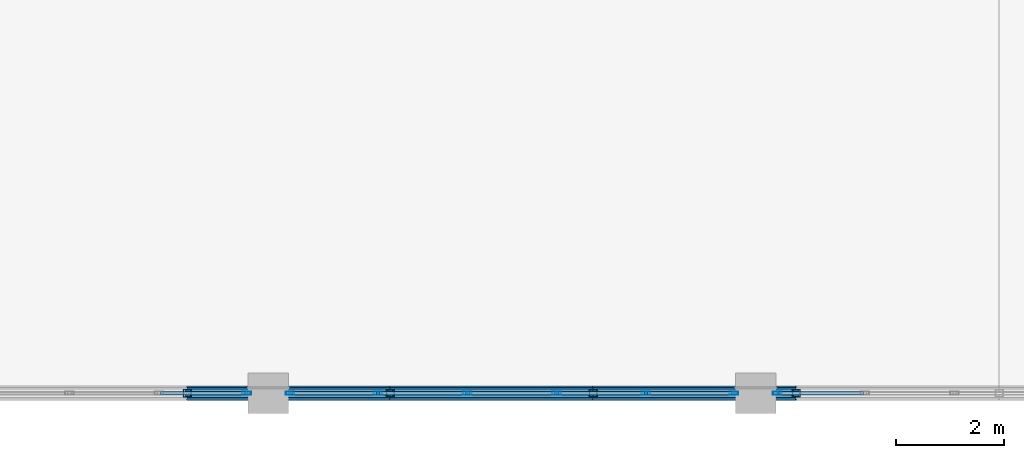
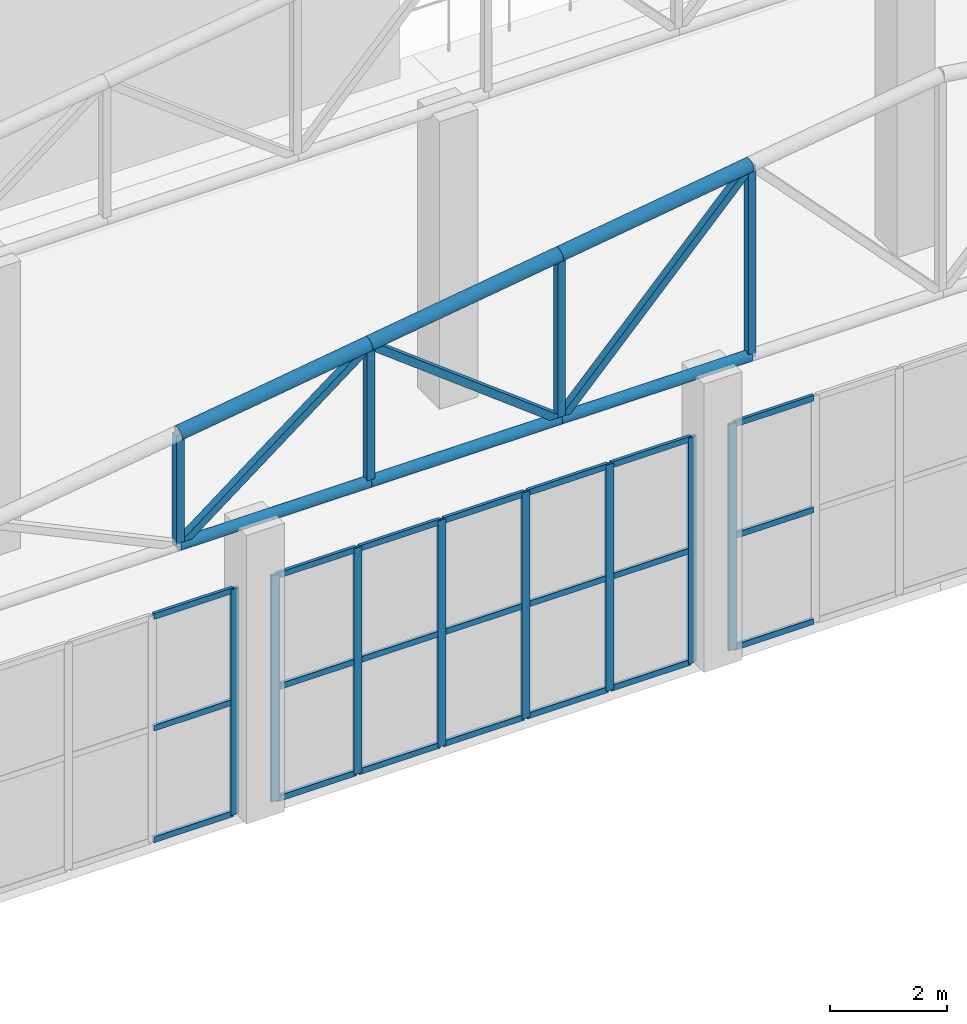
# One storey, part 47 of 223: 42 members, 3 elements without a shape of their own.
"""IFC4 building model written with IfcOpenShell, lengths in metres."""

from ifc_helpers import new_model, si_unit, direction, frame, origin, origin_2d, place, context, subcontext, project, spatial, hollow_rectangle, hollow_circle, extrude, material, layer, layer_set, material_profile, profile_set, type_object, element, aggregate, save


model = new_model("IFC4")

# Units and contexts
model_context = context("Model", 3, precision=1e-05, world=origin(), true_north=direction((0.0, 1.0)))
body_context = subcontext(model_context, "Body", "Model", "MODEL_VIEW")
ifc_project = project(units=[si_unit("LENGTHUNIT", "METRE"), si_unit("AREAUNIT", "SQUARE_METRE"), si_unit("VOLUMEUNIT", "CUBIC_METRE"), si_unit("PLANEANGLEUNIT", "RADIAN"), si_unit("MASSUNIT", "GRAM", prefix="KILO")], contexts=[model_context])

# Site, building, storey
site_placement = place(None, origin())
site = spatial("IfcSite", under=ifc_project, at=site_placement, CompositionType="ELEMENT")
building_placement = place(site_placement, origin())
building = spatial("IfcBuilding", under=site, at=building_placement, Name="Dornveld Trade and Exhibition Forum", CompositionType="ELEMENT")
storey_placement = place(building_placement, frame((0.0, 0.0, 6.0)))
storey = spatial("IfcBuildingStorey", under=building, at=storey_placement, Name="L01", CompositionType="ELEMENT", Elevation=6.0)

# Curtain wall, member
ifc_material_1 = material(Name="Dark-bronze anodised aluminium and low-E glass", Category="aluminium")
ifc_layer_1 = layer(ifc_material_1, 0.1630859375)
ifc_layer_set_1 = layer_set([ifc_layer_1], Name="Dark-bronze anodised aluminium and low-E glass")
curtain_wall_type_1 = type_object("IfcCurtainWallType", Name="CW-SYS-07", PredefinedType="USERDEFINED", material=ifc_layer_set_1)
curtain_wall_1_placement = place(storey_placement, origin())
curtain_wall_1 = element("IfcCurtainWall", 1, at=curtain_wall_1_placement, inside=storey, type_object=curtain_wall_type_1, Name="L01 unitised curtain wall 133", ObjectType="UNITISED_CURTAIN_WALL", PredefinedType="USERDEFINED")
ifc_material_2 = material(Name="Dark-bronze anodised aluminium", Category="aluminium")
ifc_material_profile_1 = material_profile(ifc_material_2, hollow_rectangle(XDim=0.06005859375, YDim=0.159912109375, WallThickness=0.00390625, at=origin_2d()), Name="RHS 160x60x4")
ifc_profile_set_1 = profile_set([ifc_material_profile_1], Name="Dark-bronze anodised aluminium")
member_type_1 = type_object("IfcMemberType", Name="CW-MUL-160", PredefinedType="MULLION", material=ifc_profile_set_1)
member_1_placement = place(storey_placement, frame((161.59912109375, 0.0, -0.00390625), z_axis=(0.0, 0.0, 1.0), x_axis=(0.0, 1.0, 0.0)))
member_1 = element("IfcMember", 2, at=member_1_placement, type_object=member_type_1, Name="CW-07 mullion 6", PredefinedType="MULLION", context=body_context, shape_type="SweptSolid", body=[
    extrude(hollow_rectangle(XDim=0.06005859375, YDim=0.159912109375, WallThickness=0.00390625, at=origin_2d()), origin(), (0.0, 0.0, 1.0), 4.703857421875),
])

# Curtain wall, members
ifc_material_3 = material(Name="Dark-bronze anodised aluminium and low-E glass", Category="aluminium")
ifc_layer_2 = layer(ifc_material_3, 0.166015625)
ifc_layer_set_2 = layer_set([ifc_layer_2], Name="Dark-bronze anodised aluminium and low-E glass")
curtain_wall_type_2 = type_object("IfcCurtainWallType", Name="CW-SYS-08", PredefinedType="USERDEFINED", material=ifc_layer_set_2)
curtain_wall_2_placement = place(storey_placement, origin())
curtain_wall_2 = element("IfcCurtainWall", 3, at=curtain_wall_2_placement, inside=storey, type_object=curtain_wall_type_2, Name="L01 unitised curtain wall 134", ObjectType="UNITISED_CURTAIN_WALL", PredefinedType="USERDEFINED")
member_2_placement = place(storey_placement, frame((162.40087890625, 0.0, -0.00390625), z_axis=(0.0, 0.0, 1.0), x_axis=(0.0, 1.0, 0.0)))
member_2 = element("IfcMember", 4, at=member_2_placement, type_object=member_type_1, Name="CW-08 mullion 1", PredefinedType="MULLION", context=body_context, shape_type="SweptSolid", body=[
    extrude(hollow_rectangle(XDim=0.06005859375, YDim=0.159912109375, WallThickness=0.00390625, at=origin_2d()), origin(), (0.0, 0.0, 1.0), 4.703857421875),
])
member_3_placement = place(storey_placement, frame((164.022705078125, 0.0, -0.00390625), z_axis=(0.0, 0.0, 1.0), x_axis=(0.0, 1.0, 0.0)))
member_3 = element("IfcMember", 5, at=member_3_placement, type_object=member_type_1, Name="CW-08 mullion 2", PredefinedType="MULLION", context=body_context, shape_type="SweptSolid", body=[
    extrude(hollow_rectangle(XDim=0.06005859375, YDim=0.159912109375, WallThickness=0.00390625, at=origin_2d()), origin(), (0.0, 0.0, 1.0), 4.703857421875),
])
member_4_placement = place(storey_placement, frame((165.67431640625, 0.0, -0.00390625), z_axis=(0.0, 0.0, 1.0), x_axis=(0.0, 1.0, 0.0)))
member_4 = element("IfcMember", 6, at=member_4_placement, type_object=member_type_1, Name="CW-08 mullion 3", PredefinedType="MULLION", context=body_context, shape_type="SweptSolid", body=[
    extrude(hollow_rectangle(XDim=0.06005859375, YDim=0.159912109375, WallThickness=0.00390625, at=origin_2d()), origin(), (0.0, 0.0, 1.0), 4.703857421875),
])
member_5_placement = place(storey_placement, frame((167.32568359375, 0.0, -0.00390625), z_axis=(0.0, 0.0, 1.0), x_axis=(0.0, 1.0, 0.0)))
member_5 = element("IfcMember", 7, at=member_5_placement, type_object=member_type_1, Name="CW-08 mullion 4", PredefinedType="MULLION", context=body_context, shape_type="SweptSolid", body=[
    extrude(hollow_rectangle(XDim=0.06005859375, YDim=0.159912109375, WallThickness=0.00390625, at=origin_2d()), origin(), (0.0, 0.0, 1.0), 4.703857421875),
])
member_6_placement = place(storey_placement, frame((168.977294921875, 0.0, -0.00390625), z_axis=(0.0, 0.0, 1.0), x_axis=(0.0, 1.0, 0.0)))
member_6 = element("IfcMember", 8, at=member_6_placement, type_object=member_type_1, Name="CW-08 mullion 5", PredefinedType="MULLION", context=body_context, shape_type="SweptSolid", body=[
    extrude(hollow_rectangle(XDim=0.06005859375, YDim=0.159912109375, WallThickness=0.00390625, at=origin_2d()), origin(), (0.0, 0.0, 1.0), 4.703857421875),
])
member_7_placement = place(storey_placement, frame((170.59912109375, 0.0, -0.00390625), z_axis=(0.0, 0.0, 1.0), x_axis=(0.0, 1.0, 0.0)))
member_7 = element("IfcMember", 9, at=member_7_placement, type_object=member_type_1, Name="CW-08 mullion 6", PredefinedType="MULLION", context=body_context, shape_type="SweptSolid", body=[
    extrude(hollow_rectangle(XDim=0.06005859375, YDim=0.159912109375, WallThickness=0.00390625, at=origin_2d()), origin(), (0.0, 0.0, 1.0), 4.703857421875),
])

# Curtain wall, member
ifc_material_4 = material(Name="Dark-bronze anodised aluminium and low-E glass", Category="aluminium")
ifc_layer_3 = layer(ifc_material_4, 0.1689453125)
ifc_layer_set_3 = layer_set([ifc_layer_3], Name="Dark-bronze anodised aluminium and low-E glass")
curtain_wall_type_3 = type_object("IfcCurtainWallType", Name="CW-SYS-09", PredefinedType="USERDEFINED", material=ifc_layer_set_3)
curtain_wall_3_placement = place(storey_placement, origin())
curtain_wall_3 = element("IfcCurtainWall", 10, at=curtain_wall_3_placement, inside=storey, type_object=curtain_wall_type_3, Name="L01 unitised curtain wall 135", ObjectType="UNITISED_CURTAIN_WALL", PredefinedType="USERDEFINED")
member_8_placement = place(storey_placement, frame((171.40087890625, 0.0, -0.00390625), z_axis=(0.0, 0.0, 1.0), x_axis=(0.0, 1.0, 0.0)))
member_8 = element("IfcMember", 11, at=member_8_placement, type_object=member_type_1, Name="CW-09 mullion 1", PredefinedType="MULLION", context=body_context, shape_type="SweptSolid", body=[
    extrude(hollow_rectangle(XDim=0.06005859375, YDim=0.159912109375, WallThickness=0.00390625, at=origin_2d()), origin(), (0.0, 0.0, 1.0), 4.703857421875),
])

# Member
ifc_material_5 = material(Name="Dark-bronze anodised aluminium", Category="aluminium")
ifc_material_profile_2 = material_profile(ifc_material_5, hollow_rectangle(XDim=0.06005859375, YDim=0.1201171875, WallThickness=0.00390625, at=origin_2d()), Name="RHS 120x60x4")
ifc_profile_set_2 = profile_set([ifc_material_profile_2], Name="Dark-bronze anodised aluminium")
member_type_2 = type_object("IfcMemberType", Name="CW-TRN-120", PredefinedType="USERDEFINED", material=ifc_profile_set_2)
member_9_placement = place(storey_placement, frame((160.00732421875, 0.0, 0.02587890625), z_axis=(1.0, 0.0, 0.0), x_axis=(0.0, 1.0, 0.0)))
member_9 = element("IfcMember", 12, at=member_9_placement, type_object=member_type_2, Name="CW-07 transom 5.1", ObjectType="TRANSOM", PredefinedType="USERDEFINED", context=body_context, shape_type="SweptSolid", body=[
    extrude(hollow_rectangle(XDim=0.06005859375, YDim=0.1201171875, WallThickness=0.00390625, at=origin_2d()), origin(), (0.0, 0.0, 1.0), 1.561767578125),
])

member_10_placement = place(storey_placement, frame((160.00732421875, 0.0, 2.347900390625), z_axis=(1.0, 0.0, 0.0), x_axis=(0.0, 1.0, 0.0)))
member_10 = element("IfcMember", 13, at=member_10_placement, type_object=member_type_2, Name="CW-07 transom 5.2", ObjectType="TRANSOM", PredefinedType="USERDEFINED", context=body_context, shape_type="SweptSolid", body=[
    extrude(hollow_rectangle(XDim=0.06005859375, YDim=0.1201171875, WallThickness=0.00390625, at=origin_2d()), origin(), (0.0, 0.0, 1.0), 1.561767578125),
])

member_11_placement = place(storey_placement, frame((160.00732421875, 0.0, 4.669921875), z_axis=(1.0, 0.0, 0.0), x_axis=(0.0, 1.0, 0.0)))
member_11 = element("IfcMember", 14, at=member_11_placement, type_object=member_type_2, Name="CW-07 transom 5.3", ObjectType="TRANSOM", PredefinedType="USERDEFINED", context=body_context, shape_type="SweptSolid", body=[
    extrude(hollow_rectangle(XDim=0.06005859375, YDim=0.1201171875, WallThickness=0.00390625, at=origin_2d()), origin(), (0.0, 0.0, 1.0), 1.561767578125),
])

aggregate(curtain_wall_1, [member_1, member_9, member_10, member_11])

member_12_placement = place(storey_placement, frame((162.430908203125, 0.0, 0.02587890625), z_axis=(1.0, 0.0, 0.0), x_axis=(0.0, 1.0, 0.0)))
member_12 = element("IfcMember", 15, at=member_12_placement, type_object=member_type_2, Name="CW-08 transom 1.1", ObjectType="TRANSOM", PredefinedType="USERDEFINED", context=body_context, shape_type="SweptSolid", body=[
    extrude(hollow_rectangle(XDim=0.06005859375, YDim=0.1201171875, WallThickness=0.00390625, at=origin_2d()), origin(), (0.0, 0.0, 1.0), 1.561767578125),
])

member_13_placement = place(storey_placement, frame((162.430908203125, 0.0, 2.347900390625), z_axis=(1.0, 0.0, 0.0), x_axis=(0.0, 1.0, 0.0)))
member_13 = element("IfcMember", 16, at=member_13_placement, type_object=member_type_2, Name="CW-08 transom 1.2", ObjectType="TRANSOM", PredefinedType="USERDEFINED", context=body_context, shape_type="SweptSolid", body=[
    extrude(hollow_rectangle(XDim=0.06005859375, YDim=0.1201171875, WallThickness=0.00390625, at=origin_2d()), origin(), (0.0, 0.0, 1.0), 1.561767578125),
])

member_14_placement = place(storey_placement, frame((162.430908203125, 0.0, 4.669921875), z_axis=(1.0, 0.0, 0.0), x_axis=(0.0, 1.0, 0.0)))
member_14 = element("IfcMember", 17, at=member_14_placement, type_object=member_type_2, Name="CW-08 transom 1.3", ObjectType="TRANSOM", PredefinedType="USERDEFINED", context=body_context, shape_type="SweptSolid", body=[
    extrude(hollow_rectangle(XDim=0.06005859375, YDim=0.1201171875, WallThickness=0.00390625, at=origin_2d()), origin(), (0.0, 0.0, 1.0), 1.561767578125),
])

member_15_placement = place(storey_placement, frame((164.052490234375, 0.0, 0.02587890625), z_axis=(1.0, 0.0, 0.0), x_axis=(0.0, 1.0, 0.0)))
member_15 = element("IfcMember", 18, at=member_15_placement, type_object=member_type_2, Name="CW-08 transom 2.1", ObjectType="TRANSOM", PredefinedType="USERDEFINED", context=body_context, shape_type="SweptSolid", body=[
    extrude(hollow_rectangle(XDim=0.06005859375, YDim=0.1201171875, WallThickness=0.00390625, at=origin_2d()), origin(), (0.0, 0.0, 1.0), 1.591796875),
])

member_16_placement = place(storey_placement, frame((164.052490234375, 0.0, 2.347900390625), z_axis=(1.0, 0.0, 0.0), x_axis=(0.0, 1.0, 0.0)))
member_16 = element("IfcMember", 19, at=member_16_placement, type_object=member_type_2, Name="CW-08 transom 2.2", ObjectType="TRANSOM", PredefinedType="USERDEFINED", context=body_context, shape_type="SweptSolid", body=[
    extrude(hollow_rectangle(XDim=0.06005859375, YDim=0.1201171875, WallThickness=0.00390625, at=origin_2d()), origin(), (0.0, 0.0, 1.0), 1.591796875),
])

member_17_placement = place(storey_placement, frame((164.052490234375, 0.0, 4.669921875), z_axis=(1.0, 0.0, 0.0), x_axis=(0.0, 1.0, 0.0)))
member_17 = element("IfcMember", 20, at=member_17_placement, type_object=member_type_2, Name="CW-08 transom 2.3", ObjectType="TRANSOM", PredefinedType="USERDEFINED", context=body_context, shape_type="SweptSolid", body=[
    extrude(hollow_rectangle(XDim=0.06005859375, YDim=0.1201171875, WallThickness=0.00390625, at=origin_2d()), origin(), (0.0, 0.0, 1.0), 1.591796875),
])

member_18_placement = place(storey_placement, frame((165.7041015625, 0.0, 0.02587890625), z_axis=(1.0, 0.0, 0.0), x_axis=(0.0, 1.0, 0.0)))
member_18 = element("IfcMember", 21, at=member_18_placement, type_object=member_type_2, Name="CW-08 transom 3.1", ObjectType="TRANSOM", PredefinedType="USERDEFINED", context=body_context, shape_type="SweptSolid", body=[
    extrude(hollow_rectangle(XDim=0.06005859375, YDim=0.1201171875, WallThickness=0.00390625, at=origin_2d()), origin(), (0.0, 0.0, 1.0), 1.591796875),
])

member_19_placement = place(storey_placement, frame((165.7041015625, 0.0, 2.347900390625), z_axis=(1.0, 0.0, 0.0), x_axis=(0.0, 1.0, 0.0)))
member_19 = element("IfcMember", 22, at=member_19_placement, type_object=member_type_2, Name="CW-08 transom 3.2", ObjectType="TRANSOM", PredefinedType="USERDEFINED", context=body_context, shape_type="SweptSolid", body=[
    extrude(hollow_rectangle(XDim=0.06005859375, YDim=0.1201171875, WallThickness=0.00390625, at=origin_2d()), origin(), (0.0, 0.0, 1.0), 1.591796875),
])

member_20_placement = place(storey_placement, frame((165.7041015625, 0.0, 4.669921875), z_axis=(1.0, 0.0, 0.0), x_axis=(0.0, 1.0, 0.0)))
member_20 = element("IfcMember", 23, at=member_20_placement, type_object=member_type_2, Name="CW-08 transom 3.3", ObjectType="TRANSOM", PredefinedType="USERDEFINED", context=body_context, shape_type="SweptSolid", body=[
    extrude(hollow_rectangle(XDim=0.06005859375, YDim=0.1201171875, WallThickness=0.00390625, at=origin_2d()), origin(), (0.0, 0.0, 1.0), 1.591796875),
])

member_21_placement = place(storey_placement, frame((167.355712890625, 0.0, 0.02587890625), z_axis=(1.0, 0.0, 0.0), x_axis=(0.0, 1.0, 0.0)))
member_21 = element("IfcMember", 24, at=member_21_placement, type_object=member_type_2, Name="CW-08 transom 4.1", ObjectType="TRANSOM", PredefinedType="USERDEFINED", context=body_context, shape_type="SweptSolid", body=[
    extrude(hollow_rectangle(XDim=0.06005859375, YDim=0.1201171875, WallThickness=0.00390625, at=origin_2d()), origin(), (0.0, 0.0, 1.0), 1.591796875),
])

member_22_placement = place(storey_placement, frame((167.355712890625, 0.0, 2.347900390625), z_axis=(1.0, 0.0, 0.0), x_axis=(0.0, 1.0, 0.0)))
member_22 = element("IfcMember", 25, at=member_22_placement, type_object=member_type_2, Name="CW-08 transom 4.2", ObjectType="TRANSOM", PredefinedType="USERDEFINED", context=body_context, shape_type="SweptSolid", body=[
    extrude(hollow_rectangle(XDim=0.06005859375, YDim=0.1201171875, WallThickness=0.00390625, at=origin_2d()), origin(), (0.0, 0.0, 1.0), 1.591796875),
])

member_23_placement = place(storey_placement, frame((167.355712890625, 0.0, 4.669921875), z_axis=(1.0, 0.0, 0.0), x_axis=(0.0, 1.0, 0.0)))
member_23 = element("IfcMember", 26, at=member_23_placement, type_object=member_type_2, Name="CW-08 transom 4.3", ObjectType="TRANSOM", PredefinedType="USERDEFINED", context=body_context, shape_type="SweptSolid", body=[
    extrude(hollow_rectangle(XDim=0.06005859375, YDim=0.1201171875, WallThickness=0.00390625, at=origin_2d()), origin(), (0.0, 0.0, 1.0), 1.591796875),
])

member_24_placement = place(storey_placement, frame((169.00732421875, 0.0, 0.02587890625), z_axis=(1.0, 0.0, 0.0), x_axis=(0.0, 1.0, 0.0)))
member_24 = element("IfcMember", 27, at=member_24_placement, type_object=member_type_2, Name="CW-08 transom 5.1", ObjectType="TRANSOM", PredefinedType="USERDEFINED", context=body_context, shape_type="SweptSolid", body=[
    extrude(hollow_rectangle(XDim=0.06005859375, YDim=0.1201171875, WallThickness=0.00390625, at=origin_2d()), origin(), (0.0, 0.0, 1.0), 1.561767578125),
])

member_25_placement = place(storey_placement, frame((169.00732421875, 0.0, 2.347900390625), z_axis=(1.0, 0.0, 0.0), x_axis=(0.0, 1.0, 0.0)))
member_25 = element("IfcMember", 28, at=member_25_placement, type_object=member_type_2, Name="CW-08 transom 5.2", ObjectType="TRANSOM", PredefinedType="USERDEFINED", context=body_context, shape_type="SweptSolid", body=[
    extrude(hollow_rectangle(XDim=0.06005859375, YDim=0.1201171875, WallThickness=0.00390625, at=origin_2d()), origin(), (0.0, 0.0, 1.0), 1.561767578125),
])

member_26_placement = place(storey_placement, frame((169.00732421875, 0.0, 4.669921875), z_axis=(1.0, 0.0, 0.0), x_axis=(0.0, 1.0, 0.0)))
member_26 = element("IfcMember", 29, at=member_26_placement, type_object=member_type_2, Name="CW-08 transom 5.3", ObjectType="TRANSOM", PredefinedType="USERDEFINED", context=body_context, shape_type="SweptSolid", body=[
    extrude(hollow_rectangle(XDim=0.06005859375, YDim=0.1201171875, WallThickness=0.00390625, at=origin_2d()), origin(), (0.0, 0.0, 1.0), 1.561767578125),
])

aggregate(curtain_wall_2, [member_2, member_3, member_4, member_5, member_6, member_7, member_12, member_13, member_14, member_15, member_16, member_17, member_18, member_19, member_20, member_21, member_22, member_23, member_24, member_25, member_26])

member_27_placement = place(storey_placement, frame((171.430908203125, 0.0, 0.02587890625), z_axis=(1.0, 0.0, 0.0), x_axis=(0.0, 1.0, 0.0)))
member_27 = element("IfcMember", 30, at=member_27_placement, type_object=member_type_2, Name="CW-09 transom 1.1", ObjectType="TRANSOM", PredefinedType="USERDEFINED", context=body_context, shape_type="SweptSolid", body=[
    extrude(hollow_rectangle(XDim=0.06005859375, YDim=0.1201171875, WallThickness=0.00390625, at=origin_2d()), origin(), (0.0, 0.0, 1.0), 1.561767578125),
])

member_28_placement = place(storey_placement, frame((171.430908203125, 0.0, 2.347900390625), z_axis=(1.0, 0.0, 0.0), x_axis=(0.0, 1.0, 0.0)))
member_28 = element("IfcMember", 31, at=member_28_placement, type_object=member_type_2, Name="CW-09 transom 1.2", ObjectType="TRANSOM", PredefinedType="USERDEFINED", context=body_context, shape_type="SweptSolid", body=[
    extrude(hollow_rectangle(XDim=0.06005859375, YDim=0.1201171875, WallThickness=0.00390625, at=origin_2d()), origin(), (0.0, 0.0, 1.0), 1.561767578125),
])

member_29_placement = place(storey_placement, frame((171.430908203125, 0.0, 4.669921875), z_axis=(1.0, 0.0, 0.0), x_axis=(0.0, 1.0, 0.0)))
member_29 = element("IfcMember", 32, at=member_29_placement, type_object=member_type_2, Name="CW-09 transom 1.3", ObjectType="TRANSOM", PredefinedType="USERDEFINED", context=body_context, shape_type="SweptSolid", body=[
    extrude(hollow_rectangle(XDim=0.06005859375, YDim=0.1201171875, WallThickness=0.00390625, at=origin_2d()), origin(), (0.0, 0.0, 1.0), 1.561767578125),
])

aggregate(curtain_wall_3, [member_8, member_27, member_28, member_29])

# Members
ifc_material_6 = material(Name="Steel S355J2", Category="steel")
ifc_material_profile_3 = material_profile(ifc_material_6, hollow_rectangle(XDim=0.14990234375, YDim=0.14990234375, WallThickness=0.008056640625, at=origin_2d()), Name="SHS 150x150x8")
ifc_profile_set_3 = profile_set([ifc_material_profile_3], Name="Steel S355J2")
member_type_3 = type_object("IfcMemberType", Name="MEM-ARCH-STR", PredefinedType="STRUT", material=ifc_profile_set_3)
member_30_placement = place(storey_placement, frame((160.5, 0.0, 5.97998046875), z_axis=(0.0, 0.0, 1.0), x_axis=(1.0, 0.0, 0.0)))
element("IfcMember", 33, at=member_30_placement, inside=storey, type_object=member_type_3, Name="Congress roof truss 1 post 3", PredefinedType="STRUT", context=body_context, shape_type="SweptSolid", body=[
    extrude(hollow_rectangle(XDim=0.14990234375, YDim=0.14990234375, WallThickness=0.008056640625, at=origin_2d()), origin(), (0.0, 0.0, 1.0), 2.320068359375),
])
member_31_placement = place(storey_placement, frame((164.25, 0.0, 5.97998046875), z_axis=(0.0, 0.0, 1.0), x_axis=(1.0, 0.0, 0.0)))
element("IfcMember", 34, at=member_31_placement, inside=storey, type_object=member_type_3, Name="Congress roof truss 1 post 4", PredefinedType="STRUT", context=body_context, shape_type="SweptSolid", body=[
    extrude(hollow_rectangle(XDim=0.14990234375, YDim=0.14990234375, WallThickness=0.008056640625, at=origin_2d()), origin(), (0.0, 0.0, 1.0), 2.8701171875),
])
member_32_placement = place(storey_placement, frame((168.0, 0.0, 5.97998046875), z_axis=(0.0, 0.0, 1.0), x_axis=(1.0, 0.0, 0.0)))
element("IfcMember", 35, at=member_32_placement, inside=storey, type_object=member_type_3, Name="Congress roof truss 1 post 5", PredefinedType="STRUT", context=body_context, shape_type="SweptSolid", body=[
    extrude(hollow_rectangle(XDim=0.14990234375, YDim=0.14990234375, WallThickness=0.008056640625, at=origin_2d()), origin(), (0.0, 0.0, 1.0), 3.419921875),
])
member_33_placement = place(storey_placement, frame((171.75, 0.0, 5.97998046875), z_axis=(0.0, 0.0, 1.0), x_axis=(1.0, 0.0, 0.0)))
element("IfcMember", 36, at=member_33_placement, inside=storey, type_object=member_type_3, Name="Congress roof truss 1 post 6", PredefinedType="STRUT", context=body_context, shape_type="SweptSolid", body=[
    extrude(hollow_rectangle(XDim=0.14990234375, YDim=0.14990234375, WallThickness=0.008056640625, at=origin_2d()), origin(), (0.0, 0.0, 1.0), 3.969970703125),
])
ifc_material_7 = material(Name="Steel S355J2", Category="steel")
ifc_material_profile_4 = material_profile(ifc_material_7, hollow_circle(Radius=0.109619140625, WallThickness=0.010009765625, at=origin_2d()), Name="CHS 219.1x10")
ifc_profile_set_4 = profile_set([ifc_material_profile_4], Name="Steel S355J2")
member_type_4 = type_object("IfcMemberType", Name="MEM-CONG-BC", PredefinedType="CHORD", material=ifc_profile_set_4)
for number, where, z_axis, x_axis, name in (
    (37, (160.5, 0.0, 5.97998046875), (1.0, 0.0, 0.0), (0.0, 1.0, 0.0), "Congress roof truss 1 bottom chord 3"),
    (38, (164.25, 0.0, 5.97998046875), (1.0, 0.0, 0.0), (0.0, 1.0, 0.0), "Congress roof truss 1 bottom chord 4"),
    (39, (168.0, 0.0, 5.97998046875), (1.0, 0.0, 0.0), (0.0, 1.0, 0.0), "Congress roof truss 1 bottom chord 5"),
):
    element("IfcMember", number, at=place(storey_placement, frame(where, z_axis=z_axis, x_axis=x_axis)), inside=storey, type_object=member_type_4, Name=name, PredefinedType="CHORD", context=body_context, shape_type="SweptSolid", body=[
        extrude(hollow_circle(Radius=0.109619140625, WallThickness=0.010009765625, at=origin_2d()), origin(), (0.0, 0.0, 1.0), 3.75),
    ])
ifc_material_8 = material(Name="Steel S355J2", Category="steel")
ifc_material_profile_5 = material_profile(ifc_material_8, hollow_circle(Radius=0.136474609375, WallThickness=0.012451171875, at=origin_2d()), Name="CHS 273x12.5")
ifc_profile_set_5 = profile_set([ifc_material_profile_5], Name="Steel S355J2")
member_type_5 = type_object("IfcMemberType", Name="MEM-CONG-TC", PredefinedType="CHORD", material=ifc_profile_set_5)
for number, where, z_axis, x_axis, name in (
    (40, (160.5, 0.0, 8.300048828125), (0.989413064489, 0.0, 0.145126799108), (0.0, 1.0, 0.0), "Congress roof truss 1 top chord 3"),
    (41, (164.25, 0.0, 8.85009765625), (0.989422311926, 0.0, 0.145063740004), (0.0, 1.0, 0.0), "Congress roof truss 1 top chord 4"),
    (42, (168.0, 0.0, 9.39990234375), (0.989413064489, 0.0, 0.145126799108), (0.0, 1.0, 0.0), "Congress roof truss 1 top chord 5"),
):
    element("IfcMember", number, at=place(storey_placement, frame(where, z_axis=z_axis, x_axis=x_axis)), inside=storey, type_object=member_type_5, Name=name, PredefinedType="CHORD", context=body_context, shape_type="SweptSolid", body=[
        extrude(hollow_circle(Radius=0.136474609375, WallThickness=0.012451171875, at=origin_2d()), origin(), (0.0, 0.0, 1.0), 3.7900390625),
    ])
ifc_material_9 = material(Name="Steel S355J2", Category="steel")
ifc_material_profile_6 = material_profile(ifc_material_9, hollow_rectangle(XDim=0.14990234375, YDim=0.14990234375, WallThickness=0.008056640625, at=origin_2d()), Name="SHS 150x150x8")
ifc_profile_set_6 = profile_set([ifc_material_profile_6], Name="Steel S355J2")
member_type_6 = type_object("IfcMemberType", Name="MEM-CONG-WEB", PredefinedType="BRACE", material=ifc_profile_set_6)
for number, where, z_axis, x_axis, name in (
    (43, (160.5, 0.0, 5.97998046875), (0.794105362147, 0.0, 0.607780119623), (0.0, 1.0, 0.0), "Congress roof truss 1 web 3"),
    (44, (168.0, 0.0, 5.97998046875), (-0.794105362147, 0.0, 0.607780119623), (0.0, -1.0, 0.0), "Congress roof truss 1 web 4"),
):
    element("IfcMember", number, at=place(storey_placement, frame(where, z_axis=z_axis, x_axis=x_axis)), inside=storey, type_object=member_type_6, Name=name, PredefinedType="BRACE", context=body_context, shape_type="SweptSolid", body=[
        extrude(hollow_rectangle(XDim=0.14990234375, YDim=0.14990234375, WallThickness=0.008056640625, at=origin_2d()), origin(), (0.0, 0.0, 1.0), 4.722412109375),
    ])
member_34_placement = place(storey_placement, frame((168.0, 0.0, 5.97998046875), z_axis=(0.686679978257, 0.0, 0.72695983896), x_axis=(0.0, 1.0, 0.0)))
element("IfcMember", 45, at=member_34_placement, inside=storey, type_object=member_type_6, Name="Congress roof truss 1 web 5", PredefinedType="BRACE", context=body_context, shape_type="SweptSolid", body=[
    extrude(hollow_rectangle(XDim=0.14990234375, YDim=0.14990234375, WallThickness=0.008056640625, at=origin_2d()), origin(), (0.0, 0.0, 1.0), 5.4609375),
])

save(model, "model.ifc")
